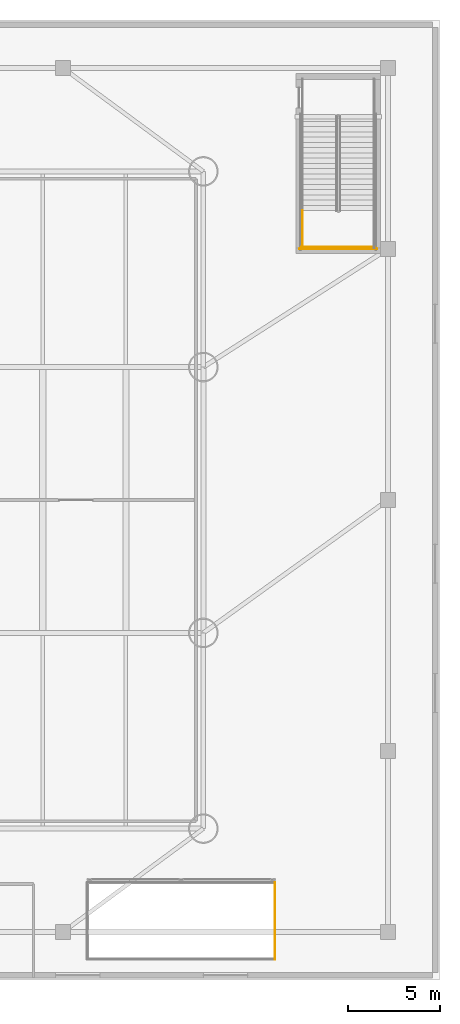
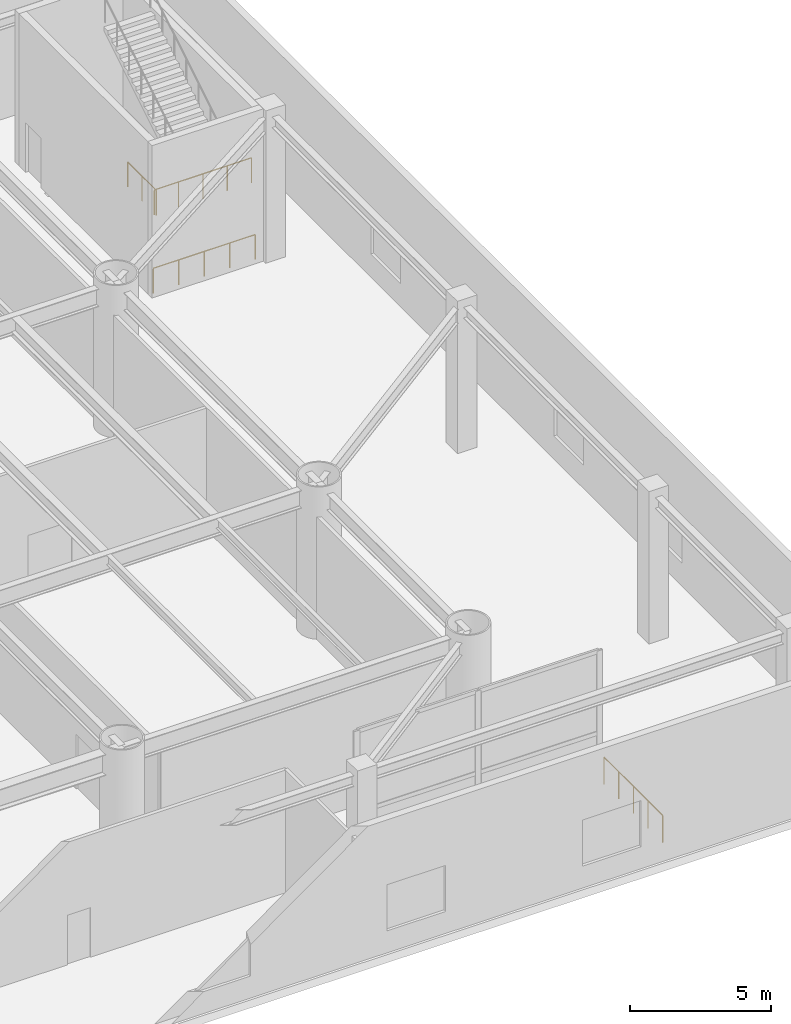
# One storey, part 15 of 16: 4 railings.
"""IFC4 building model written with IfcOpenShell, lengths in metres."""

from ifc_helpers import new_model, si_unit, direction, frame, origin, origin_2d, place, context, subcontext, project, spatial, circle, extrude, material, type_object, element, save


model = new_model("IFC4")

# Units and contexts
model_context = context("Model", 3, precision=1e-05, world=origin(), true_north=direction((0.0, 1.0)))
body_context = subcontext(model_context, "Body", "Model", "MODEL_VIEW")
ifc_project = project(units=[si_unit("LENGTHUNIT", "METRE"), si_unit("AREAUNIT", "SQUARE_METRE"), si_unit("VOLUMEUNIT", "CUBIC_METRE"), si_unit("PLANEANGLEUNIT", "RADIAN"), si_unit("MASSUNIT", "GRAM", prefix="KILO")], contexts=[model_context])

# Site, building, storey
site_placement = place(None, origin())
site = spatial("IfcSite", under=ifc_project, at=site_placement, CompositionType="ELEMENT")
building_placement = place(site_placement, origin())
building = spatial("IfcBuilding", under=site, at=building_placement, Name="Bramvorn Convention Spire", CompositionType="ELEMENT")
storey_placement = place(building_placement, frame((0.0, 0.0, 12.0)))
storey = spatial("IfcBuildingStorey", under=building, at=storey_placement, Name="L02", CompositionType="ELEMENT", Elevation=12.0)

# Railings
ifc_material_1 = material(Name="Warm Bronze Perforated Metal & Glass Balustrade", Category="glass")
railing_type_1 = type_object("IfcRailingType", Name="RL-POD-BALUSTRADE-1200", PredefinedType="BALUSTRADE", material=ifc_material_1)
railing_1_placement = place(storey_placement, frame((67.080078125, 1.1201171875, 0.0)))
element("IfcRailing", 1, at=railing_1_placement, inside=storey, type_object=railing_type_1, Name="L02 SE void perimeter balustrade side 2", PredefinedType="BALUSTRADE", context=body_context, shape_type="SweptSolid", body=[
    extrude(circle(Radius=0.02392578125, at=origin_2d()), frame((0.0, 0.0, 1.17578125), z_axis=(0.0, 1.0, 0.0), x_axis=(-1.0, 0.0, 0.0)), (0.0, 0.0, 1.0), 4.159912109375),
    extrude(circle(Radius=0.02099609375, at=origin_2d()), origin(), (0.0, 0.0, 1.0), 1.15185546875),
    extrude(circle(Radius=0.02099609375, at=origin_2d()), frame((0.0, 1.0400390625, 0.0)), (0.0, 0.0, 1.0), 1.15185546875),
    extrude(circle(Radius=0.02099609375, at=origin_2d()), frame((0.0, 2.080078125, 0.0)), (0.0, 0.0, 1.0), 1.15185546875),
    extrude(circle(Radius=0.02099609375, at=origin_2d()), frame((0.0, 3.119873046875, 0.0)), (0.0, 0.0, 1.0), 1.15185546875),
    extrude(circle(Radius=0.02099609375, at=origin_2d()), frame((0.0, 4.159912109375, 0.0)), (0.0, 0.0, 1.0), 1.15185546875),
])
ifc_material_2 = material(Name="Painted Steel Balustrade & Guardrail", Category="steel")
railing_type_2 = type_object("IfcRailingType", Name="RL-STAIR-GUARD-1100", PredefinedType="GUARDRAIL", material=ifc_material_2)
railing_2_placement = place(storey_placement, frame((68.570068359375, 41.669921875, 3.300048828125)))
element("IfcRailing", 2, at=railing_2_placement, inside=storey, type_object=railing_type_2, Name="L02 ST5 stair guard 3", PredefinedType="GUARDRAIL", context=body_context, shape_type="SweptSolid", body=[
    extrude(circle(Radius=0.02392578125, at=origin_2d()), frame((0.0, 0.0, 1.076171875), z_axis=(0.0, -1.0, 0.0), x_axis=(1.0, 0.0, 0.0)), (0.0, 0.0, 1.0), 2.02001953125),
    extrude(circle(Radius=0.02099609375, at=origin_2d()), origin(), (0.0, 0.0, 1.0), 1.052001953125),
    extrude(circle(Radius=0.02099609375, at=origin_2d()), frame((0.0, -1.010009765625, 0.0)), (0.0, 0.0, 1.0), 1.052001953125),
    extrude(circle(Radius=0.02099609375, at=origin_2d()), frame((0.0, -2.02001953125, 0.0)), (0.0, 0.0, 1.0), 1.052001953125),
])
railing_3_placement = place(storey_placement, frame((68.52001953125, 39.699951171875, 3.300048828125)))
element("IfcRailing", 3, at=railing_3_placement, inside=storey, type_object=railing_type_2, Name="L02 ST5 stair guard 5", PredefinedType="GUARDRAIL", context=body_context, shape_type="SweptSolid", body=[
    extrude(circle(Radius=0.02392578125, at=origin_2d()), frame((0.0, 0.0, 1.076171875), z_axis=(1.0, 0.0, 0.0), x_axis=(0.0, 1.0, 0.0)), (0.0, 0.0, 1.0), 3.97998046875),
    extrude(circle(Radius=0.02099609375, at=origin_2d()), origin(), (0.0, 0.0, 1.0), 1.052001953125),
    extrude(circle(Radius=0.02099609375, at=origin_2d()), frame((0.9951171875, 0.0, 0.0)), (0.0, 0.0, 1.0), 1.052001953125),
    extrude(circle(Radius=0.02099609375, at=origin_2d()), frame((1.989990234375, 0.0, 0.0)), (0.0, 0.0, 1.0), 1.052001953125),
    extrude(circle(Radius=0.02099609375, at=origin_2d()), frame((2.98486328125, 0.0, 0.0)), (0.0, 0.0, 1.0), 1.052001953125),
    extrude(circle(Radius=0.02099609375, at=origin_2d()), frame((3.97998046875, 0.0, 0.0)), (0.0, 0.0, 1.0), 1.052001953125),
])
railing_4_placement = place(storey_placement, frame((68.419921875, 39.60009765625, 0.0)))
element("IfcRailing", 4, at=railing_4_placement, inside=storey, type_object=railing_type_2, Name="L02 ST5 stair guard 12", PredefinedType="GUARDRAIL", context=body_context, shape_type="SweptSolid", body=[
    extrude(circle(Radius=0.02392578125, at=origin_2d()), frame((0.0, 0.0, 1.076171875), z_axis=(1.0, 0.0, 0.0), x_axis=(0.0, 1.0, 0.0)), (0.0, 0.0, 1.0), 4.18017578125),
    extrude(circle(Radius=0.02099609375, at=origin_2d()), origin(), (0.0, 0.0, 1.0), 1.052001953125),
    extrude(circle(Radius=0.02099609375, at=origin_2d()), frame((1.044921875, 0.0, 0.0)), (0.0, 0.0, 1.0), 1.052001953125),
    extrude(circle(Radius=0.02099609375, at=origin_2d()), frame((2.090087890625, 0.0, 0.0)), (0.0, 0.0, 1.0), 1.052001953125),
    extrude(circle(Radius=0.02099609375, at=origin_2d()), frame((3.13525390625, 0.0, 0.0)), (0.0, 0.0, 1.0), 1.052001953125),
    extrude(circle(Radius=0.02099609375, at=origin_2d()), frame((4.18017578125, 0.0, 0.0)), (0.0, 0.0, 1.0), 1.052001953125),
])

save(model, "model.ifc")
